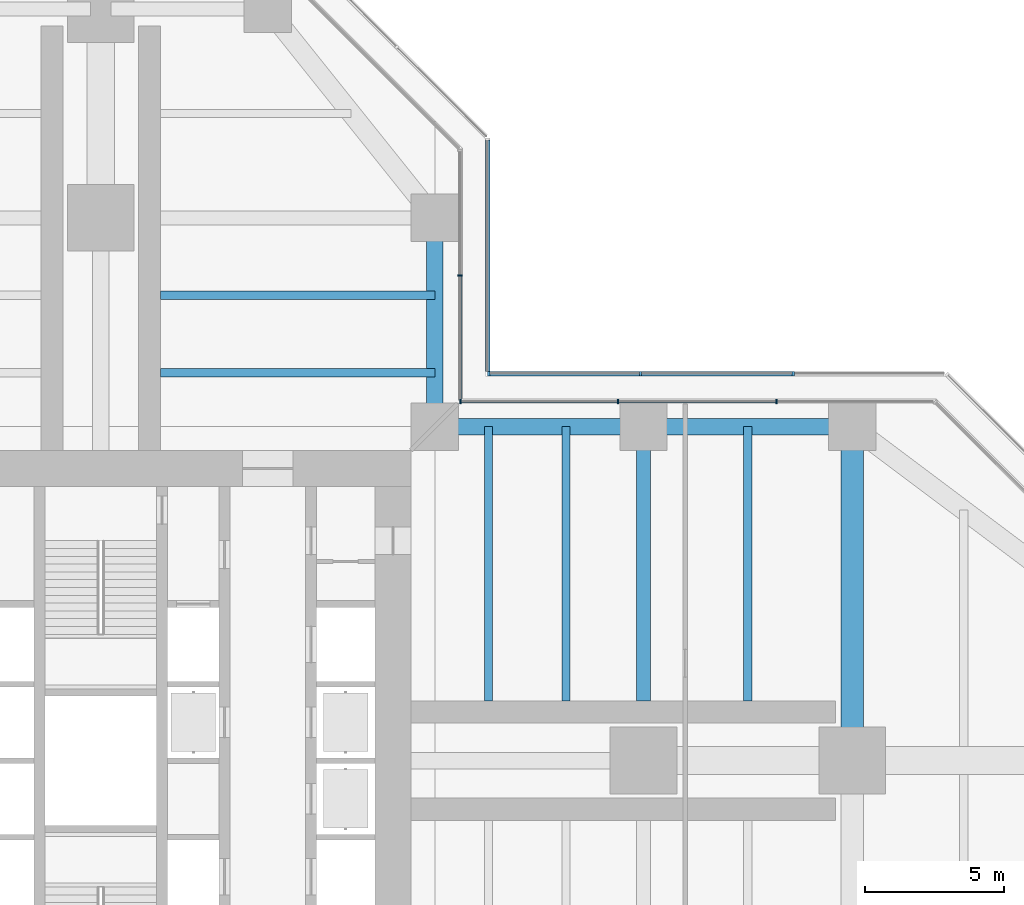
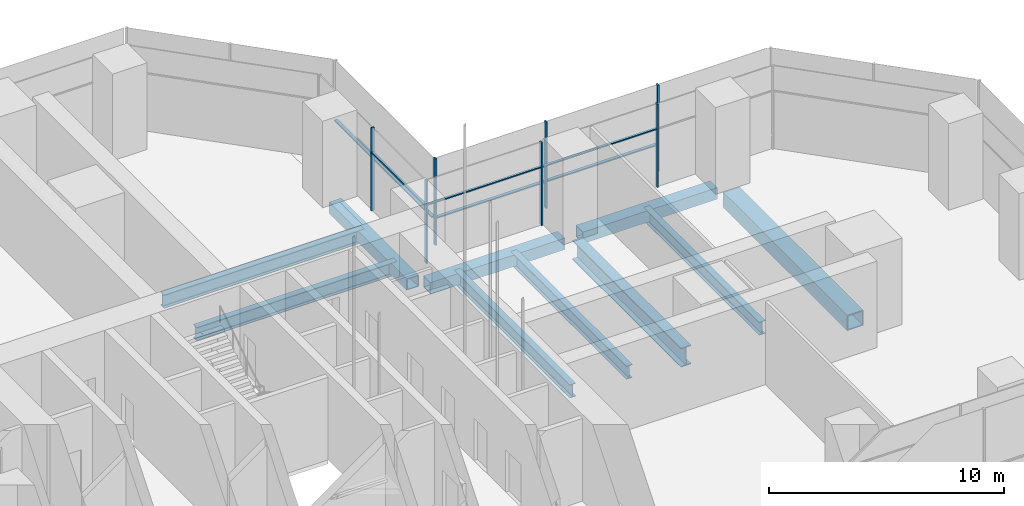
# One storey, part 8 of 34: 13 members, 10 beams, 4 elements without a shape of their own.
"""IFC4 building model written with IfcOpenShell, lengths in metres."""

import ifcopenshell
import ifcopenshell.guid

model = None  # the IFC model being written
_history = None  # IfcOwnerHistory: only IFC2X3 demands one
_inside = {}  # id of a spatial element -> (the spatial element, [elements in it])
_under = {}  # id of a project, library or spatial element -> (it, [spatial elements below it])
_declared = {}  # id of a project -> (the project, [libraries it declares])
_typed = {}  # id of a type object -> (the type object, [elements of that type])
_made_of = {}  # id of a material, layer set ... -> (it, [elements and type objects made of it])


def new_model(schema):
    """Start an empty IFC model of exactly this schema.

    Asked for "IFC4X3", IfcOpenShell would pick the latest addendum, in which some entities
    have other attributes; the version numbers below select the first issue.
    IFC2X3 requires an IfcOwnerHistory on every rooted entity: one is made here for all.
    """
    global model, _history
    if schema == "IFC4X3":
        model = ifcopenshell.file(schema_version=(4, 3, 0, 0))
    else:
        model = ifcopenshell.file(schema=schema)
    _inside.clear()
    _under.clear()
    _declared.clear()
    _typed.clear()
    _made_of.clear()
    _history = None
    if model.schema == "IFC2X3":
        org = make("IfcOrganization", Name="unknown")
        user = make(
            "IfcPersonAndOrganization",
            ThePerson=make("IfcPerson", FamilyName="unknown"),
            TheOrganization=org,
        )
        app = make(
            "IfcApplication",
            ApplicationDeveloper=org,
            Version="unknown",
            ApplicationFullName="unknown",
            ApplicationIdentifier="unknown",
        )
        _history = make(
            "IfcOwnerHistory",
            OwningUser=user,
            OwningApplication=app,
            ChangeAction="ADDED",
            CreationDate=0,
        )
    return model


def make(cls, **values):
    """One entity of the class cls with the attributes given. An attribute that is None is left unset."""
    return model.create_entity(
        cls, **{name: value for name, value in values.items() if value is not None}
    )


def rooted(cls, **values):
    """An entity with a GlobalId (a new one), such as an element, a storey or a relation."""
    return make(cls, GlobalId=ifcopenshell.guid.new(), OwnerHistory=_history, **values)


def si_unit(unit_type, name, prefix=None):
    """IfcSIUnit, for example si_unit("LENGTHUNIT", "METRE", prefix="MILLI")."""
    return make("IfcSIUnit", UnitType=unit_type, Prefix=prefix, Name=name)


def assignment(units):
    """IfcUnitAssignment: the units of a project."""
    return None if units is None else make("IfcUnitAssignment", Units=units)


def point(xyz):
    """IfcCartesianPoint."""
    return None if xyz is None else make("IfcCartesianPoint", Coordinates=xyz)


def direction(xyz):
    """IfcDirection."""
    return None if xyz is None else make("IfcDirection", DirectionRatios=xyz)


def frame(location, z_axis=None, x_axis=None):
    """IfcAxis2Placement3D, a coordinate frame: its origin and axes. An axis left out is left unset."""
    return make(
        "IfcAxis2Placement3D",
        Location=point(location),
        Axis=direction(z_axis),
        RefDirection=direction(x_axis),
    )


def frame_2d(location, x_axis=None):
    """IfcAxis2Placement2D, a coordinate frame in the plane: its origin and x axis."""
    return make(
        "IfcAxis2Placement2D", Location=point(location), RefDirection=direction(x_axis)
    )


def origin():
    """The frame at (0, 0, 0) with its axes left unset."""
    return frame((0.0, 0.0, 0.0))


def origin_2d():
    """The frame at (0, 0) in the plane with its x axis left unset."""
    return frame_2d((0.0, 0.0))


def place(relative_to, where):
    """IfcLocalPlacement: puts the frame where relative to a parent placement (None: the world)."""
    return make(
        "IfcLocalPlacement", PlacementRelTo=relative_to, RelativePlacement=where
    )


def context(
    kind, dimensions, precision=None, world=None, true_north=None, identifier=None
):
    """IfcGeometricRepresentationContext, for example the 3D "Model" context."""
    return make(
        "IfcGeometricRepresentationContext",
        ContextIdentifier=identifier,
        ContextType=kind,
        CoordinateSpaceDimension=dimensions,
        Precision=precision,
        WorldCoordinateSystem=world,
        TrueNorth=true_north,
    )


def subcontext(parent, identifier, kind, view, scale=None):
    """IfcGeometricRepresentationSubContext, for example "Body" below "Model"."""
    return make(
        "IfcGeometricRepresentationSubContext",
        ContextIdentifier=identifier,
        ContextType=kind,
        ParentContext=parent,
        TargetScale=scale,
        TargetView=view,
    )


def project(units=None, contexts=None):
    """IfcProject with its units and contexts."""
    return rooted(
        "IfcProject",
        Name="project",
        RepresentationContexts=contexts,
        UnitsInContext=assignment(units),
    )


def spatial(cls, under=None, at=None, **own):
    """A site, building, storey or space (cls), placed at a placement, below another one or the project."""
    s = rooted(cls, ObjectPlacement=at, **own)
    if under is not None:
        _under.setdefault(under.id(), (under, []))[1].append(s)
    return s


def profile(cls, at=None, kind="AREA", **sizes):
    """A parametric profile (cls). Its sizes go by their IFC names, for example OverallWidth=200.0."""
    return make(cls, ProfileType=kind, Position=at, **sizes)


def rectangle(**sizes):
    """IfcRectangleProfileDef."""
    return profile("IfcRectangleProfileDef", **sizes)


def hollow_rectangle(**sizes):
    """IfcRectangleHollowProfileDef."""
    return profile("IfcRectangleHollowProfileDef", **sizes)


def i_section(**sizes):
    """IfcIShapeProfileDef."""
    return profile("IfcIShapeProfileDef", **sizes)


def extrude(swept, where, along, depth):
    """IfcExtrudedAreaSolid: the profile swept, set in the frame where, extruded along a direction by depth."""
    return make(
        "IfcExtrudedAreaSolid",
        SweptArea=swept,
        Position=where,
        ExtrudedDirection=direction(along),
        Depth=depth,
    )


def shape(context_of_items, identifier, shape_type, items):
    """IfcShapeRepresentation: the items that make up one representation, for example the "Body"."""
    return make(
        "IfcShapeRepresentation",
        ContextOfItems=context_of_items,
        RepresentationIdentifier=identifier,
        RepresentationType=shape_type,
        Items=items,
    )


def material(Name=None, Category=None):
    """IfcMaterial."""
    return make("IfcMaterial", Name=Name, Category=Category)


def material_profile(
    of_material, cross_section, Name=None, Category=None, Priority=None
):
    """IfcMaterialProfile: a cross section and its material."""
    return make(
        "IfcMaterialProfile",
        Name=Name,
        Material=of_material,
        Profile=cross_section,
        Priority=Priority,
        Category=Category,
    )


def profile_set(profiles, Name=None, composite=None):
    """IfcMaterialProfileSet."""
    return make(
        "IfcMaterialProfileSet",
        Name=Name,
        MaterialProfiles=profiles,
        CompositeProfile=composite,
    )


def made_of(thing, what):
    """Note that an element or type object is made of a material, layer set ...; save() writes the relation."""
    if what is not None:
        _made_of.setdefault(what.id(), (what, []))[1].append(thing)
    return thing


def type_object(cls, material=None, **own):
    """A type object (cls), such as IfcWallType, which elements share."""
    return made_of(rooted(cls, **own), material)


def element(
    cls,
    number,
    at=None,
    inside=None,
    cuts=None,
    type_object=None,
    material=None,
    context=None,
    identifier="Body",
    shape_type=None,
    held_by="IfcProductDefinitionShape",
    body=None,
    shapes=None,
    **own,
):
    """One element of the class cls, such as IfcWall. Its Tag is "e" and its number.

    at: its placement. inside: the storey or other place that contains it. cuts: it is an
    opening in that element (IfcRelVoidsElement). A single representation is given by context,
    identifier, shape_type and body (its items); several are given by shapes. held_by: the class
    of the entity that holds the representations. save() writes the other relations.
    """
    e = rooted(cls, Tag="e%d" % number, ObjectPlacement=at, **own)
    if body is not None:
        shapes = [shape(context, identifier, shape_type, body)]
    if shapes is not None:
        e.Representation = make(held_by, Representations=shapes)
    if inside is not None:
        _inside.setdefault(inside.id(), (inside, []))[1].append(e)
    if cuts is not None:
        rooted(
            "IfcRelVoidsElement", RelatingBuildingElement=cuts, RelatedOpeningElement=e
        )
    if type_object is not None:
        _typed.setdefault(type_object.id(), (type_object, []))[1].append(e)
    return made_of(e, material)


def aggregate(whole, parts):
    """IfcRelAggregates: a whole, such as a stair, and the parts it consists of."""
    return rooted("IfcRelAggregates", RelatingObject=whole, RelatedObjects=parts)


def save(model, path):
    """Write the relations noted so far, then the file.

    IfcRelAggregates (storeys below a building ...), IfcRelContainedInSpatialStructure (elements
    in a storey), IfcRelDefinesByType, IfcRelAssociatesMaterial and IfcRelDeclares: one each for
    every whole, place, type object, material and project.
    """
    for whole, parts in _under.values():
        aggregate(whole, parts)
    for where, things in _inside.values():
        rooted(
            "IfcRelContainedInSpatialStructure",
            RelatedElements=things,
            RelatingStructure=where,
        )
    for kind, things in _typed.values():
        rooted("IfcRelDefinesByType", RelatedObjects=things, RelatingType=kind)
    for what, things in _made_of.values():
        rooted("IfcRelAssociatesMaterial", RelatedObjects=things, RelatingMaterial=what)
    for by, libraries in _declared.values():
        rooted("IfcRelDeclares", RelatingContext=by, RelatedDefinitions=libraries)
    model.write(path)


model = new_model("IFC4")

# Units and contexts
model_context = context("Model", 3, precision=1e-05, world=origin(), true_north=direction((0.0, 1.0)))
body_context = subcontext(model_context, "Body", "Model", "MODEL_VIEW")
ifc_project = project(units=[si_unit("LENGTHUNIT", "METRE"), si_unit("AREAUNIT", "SQUARE_METRE"), si_unit("VOLUMEUNIT", "CUBIC_METRE"), si_unit("PLANEANGLEUNIT", "RADIAN"), si_unit("MASSUNIT", "GRAM", prefix="KILO")], contexts=[model_context])

# Site, building, storey
site_placement = place(None, origin())
site = spatial("IfcSite", under=ifc_project, at=site_placement, CompositionType="ELEMENT")
building_placement = place(site_placement, origin())
building = spatial("IfcBuilding", under=site, at=building_placement, Name="Mizan Broadcast Tower", CompositionType="ELEMENT")
storey_placement = place(building_placement, frame((0.0, 0.0, 194.39990234375)))
storey = spatial("IfcBuildingStorey", under=building, at=storey_placement, Name="L45", CompositionType="ELEMENT", Elevation=194.39990234375)

# Beams
ifc_material_1 = material(Name="Steel S355", Category="steel")
ifc_material_profile_1 = material_profile(ifc_material_1, hollow_rectangle(XDim=0.60009765625, YDim=0.60009765625, WallThickness=0.0400390625, at=origin_2d()), Name="BOX 600x600x40")
ifc_profile_set_1 = profile_set([ifc_material_profile_1], Name="Steel S355")
beam_type_1 = type_object("IfcBeamType", Name="EDGE BEAM BOX 600x600x40", PredefinedType="SPANDREL", material=ifc_profile_set_1)
for number, where, z_axis, x_axis, name in (
    (1, (12.449951171875, 12.0, -0.429931640625), (1.0, 0.0, 0.0), (0.0, 1.0, 0.0), "Edge beam BOX 600x600x40 L45 east arm"),
    (2, (19.949951171875, 12.0, -0.429931640625), (1.0, 0.0, 0.0), (0.0, 1.0, 0.0), "Edge beam BOX 600x600x40 L45 east arm"),
    (3, (12.0, 12.449951171875, -0.429931640625), (0.0, 1.0, 0.0), (-1.0, 0.0, 0.0), "Edge beam BOX 600x600x40 L45 north arm"),
):
    element("IfcBeam", number, at=place(storey_placement, frame(where, z_axis=z_axis, x_axis=x_axis)), inside=storey, type_object=beam_type_1, Name=name, PredefinedType="SPANDREL", context=body_context, shape_type="SweptSolid", body=[
        extrude(hollow_rectangle(XDim=0.60009765625, YDim=0.60009765625, WallThickness=0.0400390625, at=origin_2d()), origin(), (0.0, 0.0, 1.0), 6.60009765625),
    ])
ifc_material_2 = material(Name="Steel S460", Category="steel")
ifc_material_profile_2 = material_profile(ifc_material_2, hollow_rectangle(XDim=0.800048828125, YDim=0.800048828125, WallThickness=0.050048828125, at=origin_2d()), Name="BOX 800x800x50")
ifc_profile_set_2 = profile_set([ifc_material_profile_2], Name="Steel S460")
beam_type_2 = type_object("IfcBeamType", Name="GIRDER BOX 800x800x50", PredefinedType="BEAM", material=ifc_profile_set_2)
beam_1_placement = place(storey_placement, frame((27.0, 11.280029296875, -0.52978515625), z_axis=(0.0, -1.0, 0.0), x_axis=(1.0, 0.0, 0.0)))
element("IfcBeam", 4, at=beam_1_placement, inside=storey, type_object=beam_type_2, Name="Girder BOX 800x800x50 L45 east arm", PredefinedType="BEAM", context=body_context, shape_type="SweptSolid", body=[
    extrude(hollow_rectangle(XDim=0.800048828125, YDim=0.800048828125, WallThickness=0.050048828125, at=origin_2d()), origin(), (0.0, 0.0, 1.0), 10.56005859375),
])
ifc_material_3 = material(Name="Steel S460", Category="steel")
ifc_material_profile_3 = material_profile(ifc_material_3, i_section(OverallWidth=0.5, OverallDepth=1.0, WebThickness=0.02490234375, FlangeThickness=0.050048828125, at=origin_2d()), Name="WPG 1000x500")
ifc_profile_set_3 = profile_set([ifc_material_profile_3], Name="Steel S460")
beam_type_3 = type_object("IfcBeamType", Name="GIRDER WPG 1000x500", PredefinedType="BEAM", material=ifc_profile_set_3)
beam_2_placement = place(storey_placement, frame((19.5, 11.408935546875, -0.6298828125), z_axis=(0.0, -1.0, 0.0), x_axis=(1.0, 0.0, 0.0)))
element("IfcBeam", 5, at=beam_2_placement, inside=storey, type_object=beam_type_3, Name="Girder WPG 1000x500 L45 east arm", PredefinedType="BEAM", context=body_context, shape_type="SweptSolid", body=[
    extrude(i_section(OverallWidth=0.5, OverallDepth=1.0, WebThickness=0.02490234375, FlangeThickness=0.050048828125, at=origin_2d()), origin(), (0.0, 0.0, 1.0), 9.259033203125),
])

# Curtain wall, members
ifc_material_4 = material(Name="Aluminium framed glazing", Category="aluminium")
curtain_wall_type_1 = type_object("IfcCurtainWallType", Name="INNER SKIN HIGH ZONE", PredefinedType="USERDEFINED", material=ifc_material_4)
curtain_wall_1_placement = place(storey_placement, origin())
curtain_wall_1 = element("IfcCurtainWall", 6, at=curtain_wall_1_placement, inside=storey, type_object=curtain_wall_type_1, Name="Inner skin high zone L45 E side", ObjectType="INNER SKIN HIGH ZONE", PredefinedType="USERDEFINED")
ifc_material_5 = material(Name="Aluminium, pale anodised", Category="aluminium")
ifc_material_profile_4 = material_profile(ifc_material_5, rectangle(XDim=0.159912109375, YDim=0.06005859375, at=origin_2d()), Name="MULLION 160x60")
ifc_profile_set_4 = profile_set([ifc_material_profile_4], Name="Aluminium, pale anodised")
member_type_1 = type_object("IfcMemberType", Name="INNER SKIN MULLION 60x160", PredefinedType="MULLION", material=ifc_profile_set_4)
member_1_placement = place(storey_placement, frame((24.2724609375, 12.89990234375, 0.0), z_axis=(0.0, 0.0, 1.0), x_axis=(0.0, -1.0, 0.0)))
member_1 = element("IfcMember", 7, at=member_1_placement, type_object=member_type_1, Name="Inner skin high zone L45 E side mullion 2", PredefinedType="MULLION", context=body_context, shape_type="SweptSolid", body=[
    extrude(rectangle(XDim=0.159912109375, YDim=0.06005859375, at=origin_2d()), origin(), (0.0, 0.0, 1.0), 4.320068359375),
])
member_2_placement = place(storey_placement, frame((18.586181640625, 12.89990234375, 0.0), z_axis=(0.0, 0.0, 1.0), x_axis=(0.0, -1.0, 0.0)))
member_2 = element("IfcMember", 8, at=member_2_placement, type_object=member_type_1, Name="Inner skin high zone L45 E side mullion 3", PredefinedType="MULLION", context=body_context, shape_type="SweptSolid", body=[
    extrude(rectangle(XDim=0.159912109375, YDim=0.06005859375, at=origin_2d()), origin(), (0.0, 0.0, 1.0), 4.320068359375),
])
member_3_placement = place(storey_placement, frame((12.929931640625, 12.89990234375, 0.0), z_axis=(0.0, 0.0, 1.0), x_axis=(0.0, -1.0, 0.0)))
member_3 = element("IfcMember", 9, at=member_3_placement, type_object=member_type_1, Name="Inner skin high zone L45 E side mullion 4", PredefinedType="MULLION", context=body_context, shape_type="SweptSolid", body=[
    extrude(rectangle(XDim=0.159912109375, YDim=0.06005859375, at=origin_2d()), origin(), (0.0, 0.0, 1.0), 4.320068359375),
])

# Curtain wall, member
curtain_wall_2_placement = place(storey_placement, origin())
curtain_wall_2 = element("IfcCurtainWall", 10, at=curtain_wall_2_placement, inside=storey, type_object=curtain_wall_type_1, Name="Inner skin high zone L45 N side", ObjectType="INNER SKIN HIGH ZONE", PredefinedType="USERDEFINED")
member_4_placement = place(storey_placement, frame((12.89990234375, 17.42919921875, 0.0), z_axis=(0.0, 0.0, 1.0), x_axis=(-1.0, 0.0, 0.0)))
member_4 = element("IfcMember", 11, at=member_4_placement, type_object=member_type_1, Name="Inner skin high zone L45 N side mullion 2", PredefinedType="MULLION", context=body_context, shape_type="SweptSolid", body=[
    extrude(rectangle(XDim=0.159912109375, YDim=0.06005859375, at=origin_2d()), origin(), (0.0, 0.0, 1.0), 4.320068359375),
])

# Member
ifc_material_6 = material(Name="Aluminium, pale anodised", Category="aluminium")
ifc_material_profile_5 = material_profile(ifc_material_6, rectangle(XDim=0.1201171875, YDim=0.06005859375, at=origin_2d()), Name="TRANSOM 120x60")
ifc_profile_set_5 = profile_set([ifc_material_profile_5], Name="Aluminium, pale anodised")
member_type_2 = type_object("IfcMemberType", Name="INNER SKIN TRANSOM 60x120", PredefinedType="USERDEFINED", material=ifc_profile_set_5)
member_5_placement = place(storey_placement, frame((24.242431640625, 12.89990234375, 3.030029296875), z_axis=(-1.0, 0.0, 0.0), x_axis=(0.0, -1.0, 0.0)))
member_5 = element("IfcMember", 12, at=member_5_placement, type_object=member_type_2, Name="Inner skin high zone L45 E side transom 2.1", ObjectType="TRANSOM", PredefinedType="USERDEFINED", context=body_context, shape_type="SweptSolid", body=[
    extrude(rectangle(XDim=0.1201171875, YDim=0.06005859375, at=origin_2d()), origin(), (0.0, 0.0, 1.0), 5.626220703125),
])

member_6_placement = place(storey_placement, frame((18.55615234375, 12.89990234375, 3.030029296875), z_axis=(-1.0, 0.0, 0.0), x_axis=(0.0, -1.0, 0.0)))
member_6 = element("IfcMember", 13, at=member_6_placement, type_object=member_type_2, Name="Inner skin high zone L45 E side transom 3.1", ObjectType="TRANSOM", PredefinedType="USERDEFINED", context=body_context, shape_type="SweptSolid", body=[
    extrude(rectangle(XDim=0.1201171875, YDim=0.06005859375, at=origin_2d()), origin(), (0.0, 0.0, 1.0), 5.59619140625),
])

aggregate(curtain_wall_1, [member_1, member_2, member_3, member_5, member_6])

member_7_placement = place(storey_placement, frame((12.89990234375, 12.9599609375, 3.030029296875), z_axis=(0.0, 1.0, 0.0), x_axis=(-1.0, 0.0, 0.0)))
member_7 = element("IfcMember", 14, at=member_7_placement, type_object=member_type_2, Name="Inner skin high zone L45 N side transom 1.1", ObjectType="TRANSOM", PredefinedType="USERDEFINED", context=body_context, shape_type="SweptSolid", body=[
    extrude(rectangle(XDim=0.1201171875, YDim=0.06005859375, at=origin_2d()), origin(), (0.0, 0.0, 1.0), 4.439208984375),
])

aggregate(curtain_wall_2, [member_4, member_7])

# Curtain wall, members
ifc_material_7 = material(Name="Aluminium framed glazing", Category="aluminium")
curtain_wall_type_2 = type_object("IfcCurtainWallType", Name="OUTER SKIN", PredefinedType="USERDEFINED", material=ifc_material_7)
curtain_wall_3_placement = place(storey_placement, origin())
curtain_wall_3 = element("IfcCurtainWall", 15, at=curtain_wall_3_placement, inside=storey, type_object=curtain_wall_type_2, Name="Outer skin L45 E side", ObjectType="OUTER SKIN", PredefinedType="USERDEFINED")
ifc_material_8 = material(Name="Aluminium, pale anodised", Category="aluminium")
ifc_material_profile_6 = material_profile(ifc_material_8, rectangle(XDim=0.159912109375, YDim=0.080078125, at=origin_2d()), Name="MULLION 160x80")
ifc_profile_set_6 = profile_set([ifc_material_profile_6], Name="Aluminium, pale anodised")
member_type_3 = type_object("IfcMemberType", Name="OUTER SKIN MULLION 80x160", PredefinedType="MULLION", material=ifc_profile_set_6)
member_8_placement = place(storey_placement, frame((24.8818359375, 13.89990234375, 0.0), z_axis=(0.0, 0.0, 1.0), x_axis=(0.0, -1.0, 0.0)))
member_8 = element("IfcMember", 16, at=member_8_placement, type_object=member_type_3, Name="Outer skin L45 E side mullion 2", PredefinedType="MULLION", context=body_context, shape_type="SweptSolid", body=[
    extrude(rectangle(XDim=0.159912109375, YDim=0.080078125, at=origin_2d()), origin(), (0.0, 0.0, 1.0), 4.5),
])
member_9_placement = place(storey_placement, frame((19.390869140625, 13.89990234375, 0.0), z_axis=(0.0, 0.0, 1.0), x_axis=(0.0, -1.0, 0.0)))
member_9 = element("IfcMember", 17, at=member_9_placement, type_object=member_type_3, Name="Outer skin L45 E side mullion 3", PredefinedType="MULLION", context=body_context, shape_type="SweptSolid", body=[
    extrude(rectangle(XDim=0.159912109375, YDim=0.080078125, at=origin_2d()), origin(), (0.0, 0.0, 1.0), 4.5),
])
member_10_placement = place(storey_placement, frame((13.93994140625, 13.89990234375, 0.0), z_axis=(0.0, 0.0, 1.0), x_axis=(0.0, -1.0, 0.0)))
member_10 = element("IfcMember", 18, at=member_10_placement, type_object=member_type_3, Name="Outer skin L45 E side mullion 4", PredefinedType="MULLION", context=body_context, shape_type="SweptSolid", body=[
    extrude(rectangle(XDim=0.159912109375, YDim=0.080078125, at=origin_2d()), origin(), (0.0, 0.0, 1.0), 4.5),
])
ifc_material_9 = material(Name="Aluminium, pale anodised", Category="aluminium")
ifc_material_profile_7 = material_profile(ifc_material_9, rectangle(XDim=0.159912109375, YDim=0.06005859375, at=origin_2d()), Name="TRANSOM 160x60")
ifc_profile_set_7 = profile_set([ifc_material_profile_7], Name="Aluminium, pale anodised")
member_type_4 = type_object("IfcMemberType", Name="OUTER SKIN TRANSOM 60x160", PredefinedType="USERDEFINED", material=ifc_profile_set_7)
member_11_placement = place(storey_placement, frame((24.841796875, 13.89990234375, 1.400146484375), z_axis=(-1.0, 0.0, 0.0), x_axis=(0.0, -1.0, 0.0)))
member_11 = element("IfcMember", 19, at=member_11_placement, type_object=member_type_4, Name="Outer skin L45 E side transom 2.1", ObjectType="TRANSOM", PredefinedType="USERDEFINED", context=body_context, shape_type="SweptSolid", body=[
    extrude(rectangle(XDim=0.159912109375, YDim=0.06005859375, at=origin_2d()), origin(), (0.0, 0.0, 1.0), 5.410888671875),
])
member_12_placement = place(storey_placement, frame((19.350830078125, 13.89990234375, 1.400146484375), z_axis=(-1.0, 0.0, 0.0), x_axis=(0.0, -1.0, 0.0)))
member_12 = element("IfcMember", 20, at=member_12_placement, type_object=member_type_4, Name="Outer skin L45 E side transom 3.1", ObjectType="TRANSOM", PredefinedType="USERDEFINED", context=body_context, shape_type="SweptSolid", body=[
    extrude(rectangle(XDim=0.159912109375, YDim=0.06005859375, at=origin_2d()), origin(), (0.0, 0.0, 1.0), 5.370849609375),
])
aggregate(curtain_wall_3, [member_8, member_9, member_10, member_11, member_12])

# Curtain wall, member
curtain_wall_4_placement = place(storey_placement, origin())
curtain_wall_4 = element("IfcCurtainWall", 21, at=curtain_wall_4_placement, inside=storey, type_object=curtain_wall_type_2, Name="Outer skin L45 N side", ObjectType="OUTER SKIN", PredefinedType="USERDEFINED")
member_13_placement = place(storey_placement, frame((13.89990234375, 13.97998046875, 1.400146484375), z_axis=(0.0, 1.0, 0.0), x_axis=(-1.0, 0.0, 0.0)))
member_13 = element("IfcMember", 22, at=member_13_placement, type_object=member_type_4, Name="Outer skin L45 N side transom 1.1", ObjectType="TRANSOM", PredefinedType="USERDEFINED", context=body_context, shape_type="SweptSolid", body=[
    extrude(rectangle(XDim=0.159912109375, YDim=0.06005859375, at=origin_2d()), origin(), (0.0, 0.0, 1.0), 8.312744140625),
])
aggregate(curtain_wall_4, [member_13])

# Beams
ifc_material_10 = material(Name="Steel S355", Category="steel")
ifc_material_profile_8 = material_profile(ifc_material_10, i_section(OverallWidth=0.300048828125, OverallDepth=0.68994140625, WebThickness=0.014404296875, FlangeThickness=0.027099609375, FilletRadius=0.027099609375, at=origin_2d()), Name="HEA 700")
ifc_profile_set_8 = profile_set([ifc_material_profile_8], Name="Steel S355")
beam_type_4 = type_object("IfcBeamType", Name="SECONDARY BEAM HEA 700", PredefinedType="JOIST", material=ifc_profile_set_8)
for number, where, z_axis, x_axis, name in (
    (23, (13.933349609375, 12.0, -0.474853515625), (0.0, -1.0, 0.0), (1.0, 0.0, 0.0), "Secondary beam HEA 700 L45 east arm"),
    (24, (16.716552734375, 12.0, -0.474853515625), (0.0, -1.0, 0.0), (1.0, 0.0, 0.0), "Secondary beam HEA 700 L45 east arm"),
    (25, (23.25, 12.0, -0.474853515625), (0.0, -1.0, 0.0), (1.0, 0.0, 0.0), "Secondary beam HEA 700 L45 east arm"),
    (26, (12.0, 13.933349609375, -0.474853515625), (-1.0, 0.0, 0.0), (0.0, -1.0, 0.0), "Secondary beam HEA 700 L45 north arm"),
    (27, (12.0, 16.716552734375, -0.474853515625), (-1.0, 0.0, 0.0), (0.0, -1.0, 0.0), "Secondary beam HEA 700 L45 north arm"),
):
    element("IfcBeam", number, at=place(storey_placement, frame(where, z_axis=z_axis, x_axis=x_axis)), inside=storey, type_object=beam_type_4, Name=name, PredefinedType="JOIST", context=body_context, shape_type="SweptSolid", body=[
        extrude(i_section(OverallWidth=0.300048828125, OverallDepth=0.68994140625, WebThickness=0.014404296875, FlangeThickness=0.027099609375, FilletRadius=0.027099609375, at=origin_2d()), origin(), (0.0, 0.0, 1.0), 9.85009765625),
    ])

save(model, "model.ifc")
